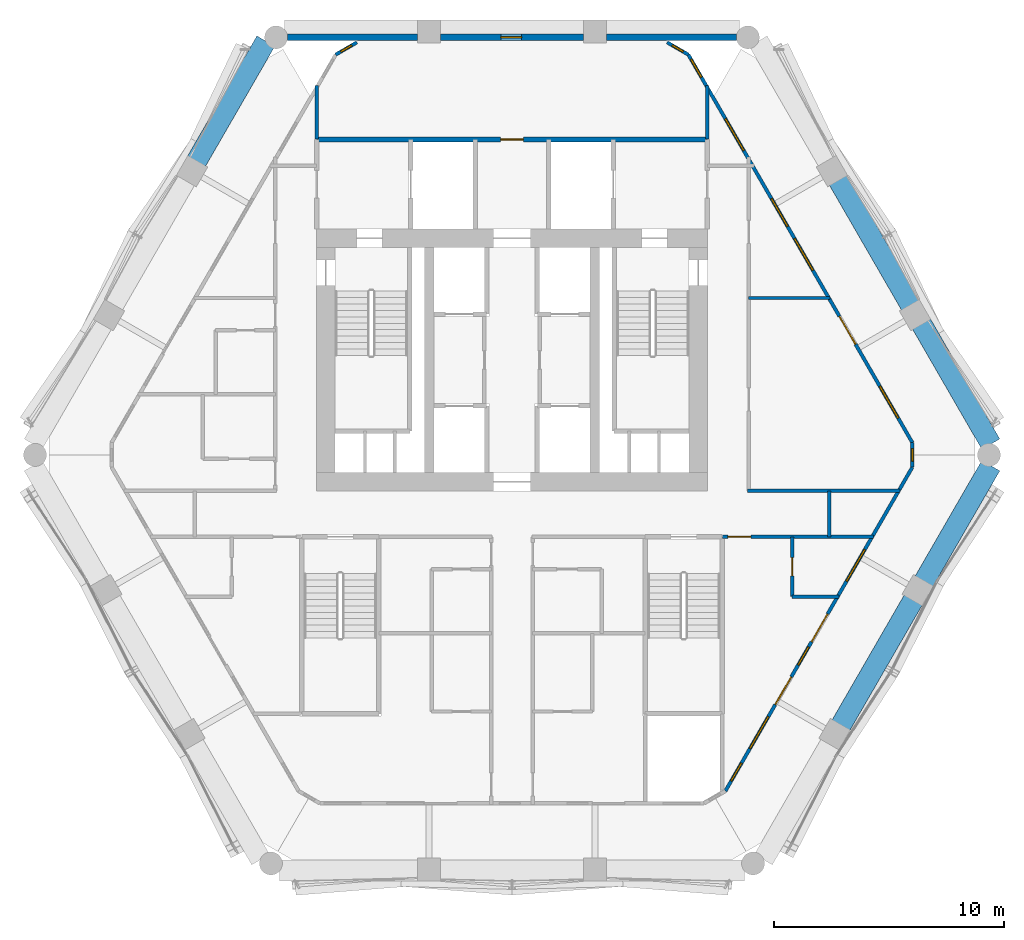
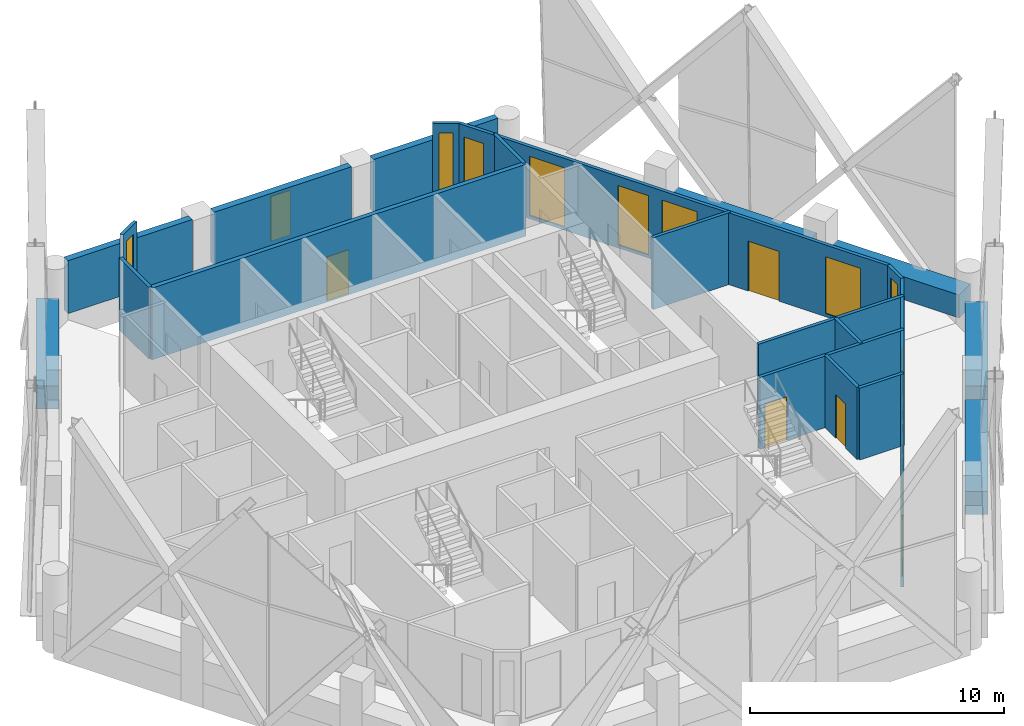
# One storey, part 13 of 19: 22 walls, 13 windows, 6 doors, 19 openings.
"""IFC4 building model written with IfcOpenShell, lengths in metres."""

from ifc_helpers import new_model, si_unit, direction, frame, frame_2d, origin, place, context, subcontext, project, spatial, rectangle, extrude, material, layer, layer_set, type_object, element, fill, save


model = new_model("IFC4")

# Units and contexts
model_context = context("Model", 3, precision=1e-05, world=origin(), true_north=direction((0.0, 1.0)))
body_context = subcontext(model_context, "Body", "Model", "MODEL_VIEW")
ifc_project = project(units=[si_unit("LENGTHUNIT", "METRE"), si_unit("AREAUNIT", "SQUARE_METRE"), si_unit("VOLUMEUNIT", "CUBIC_METRE"), si_unit("PLANEANGLEUNIT", "RADIAN"), si_unit("MASSUNIT", "GRAM", prefix="KILO")], contexts=[model_context])

# Site, building, storey
site_placement = place(None, origin())
site = spatial("IfcSite", under=ifc_project, at=site_placement, CompositionType="ELEMENT")
building_placement = place(site_placement, origin())
building = spatial("IfcBuilding", under=site, at=building_placement, Name="Ostrander Bayou Hotel Tower", CompositionType="ELEMENT")
storey_placement = place(building_placement, frame((0.0, 0.0, 164.5)))
storey = spatial("IfcBuildingStorey", under=building, at=storey_placement, Name="L40", CompositionType="ELEMENT", Elevation=164.5)

# Wall, openings, doors, windows
ifc_material_1 = material(Name="Aluminium framed insulated wall", Category="aluminium")
ifc_layer_1 = layer(ifc_material_1, 0.14990234375)
ifc_layer_set_1 = layer_set([ifc_layer_1], Name="GW1 glass-line wall 150 mm")
wall_type_1 = type_object("IfcWallType", Name="GW1 glass-line wall 150 mm", PredefinedType="SOLIDWALL", material=ifc_layer_set_1)
wall_1_placement = place(storey_placement, frame((9.288818359375, -14.76171875, 0.0), z_axis=(0.0, 0.0, 1.0), x_axis=(0.499985985267, 0.866033495043, 0.0)))
wall_1 = element("IfcWall", 1, at=wall_1_placement, inside=storey, type_object=wall_type_1, Name="GW1 L40 SE 1", PredefinedType="SOLIDWALL", context=body_context, shape_type="SweptSolid", body=[
    extrude(rectangle(XDim=16.279296875, YDim=0.14990234375, at=frame_2d((8.1396484375, 0.0))), origin(), (0.0, 0.0, 1.0), 3.449951171875),
])
opening_1_placement = place(wall_1_placement, frame((2.1396484375, 0.0, 0.14990234375)))
opening_1 = element("IfcOpeningElement", 2, at=opening_1_placement, cuts=wall_1, Name="Opening W3", PredefinedType="OPENING", context=body_context, shape_type="SweptSolid", body=[
    extrude(rectangle(XDim=1.60009765625, YDim=2.85009765625, at=frame_2d((0.800048828125, 1.425048828125))), frame((0.0, 0.074951171875, 0.0), z_axis=(0.0, -1.0, 0.0), x_axis=(1.0, 0.0, 0.0)), (0.0, 0.0, 1.0), 0.14990234375),
])
opening_2_placement = place(wall_1_placement, frame((4.339599609375, 0.0, 0.0)))
opening_2 = element("IfcOpeningElement", 3, at=opening_2_placement, cuts=wall_1, Name="Opening T38-804", PredefinedType="OPENING", context=body_context, shape_type="SweptSolid", body=[
    extrude(rectangle(XDim=1.39990234375, YDim=2.39990234375, at=frame_2d((0.699951171875, 1.199951171875))), frame((0.0, 0.074951171875, 0.0), z_axis=(0.0, -1.0, 0.0), x_axis=(1.0, 0.0, 0.0)), (0.0, 0.0, 1.0), 0.14990234375),
])
opening_3_placement = place(wall_1_placement, frame((6.339599609375, 0.0, 0.14990234375)))
opening_3 = element("IfcOpeningElement", 4, at=opening_3_placement, cuts=wall_1, Name="Opening W17", PredefinedType="OPENING", context=body_context, shape_type="SweptSolid", body=[
    extrude(rectangle(XDim=0.89990234375, YDim=2.85009765625, at=frame_2d((0.449951171875, 1.425048828125))), frame((0.0, 0.074951171875, 0.0), z_axis=(0.0, -1.0, 0.0), x_axis=(1.0, 0.0, 0.0)), (0.0, 0.0, 1.0), 0.14990234375),
])
opening_4_placement = place(wall_1_placement, frame((7.49658203125, 0.0, 0.0)))
opening_4 = element("IfcOpeningElement", 5, at=opening_4_placement, cuts=wall_1, Name="Opening T38-805", PredefinedType="OPENING", context=body_context, shape_type="SweptSolid", body=[
    extrude(rectangle(XDim=1.39990234375, YDim=2.39990234375, at=frame_2d((0.699951171875, 1.199951171875))), frame((0.0, 0.074951171875, 0.0), z_axis=(0.0, -1.0, 0.0), x_axis=(1.0, 0.0, 0.0)), (0.0, 0.0, 1.0), 0.14990234375),
])
opening_5_placement = place(wall_1_placement, frame((10.53955078125, 0.0, 0.14990234375)))
opening_5 = element("IfcOpeningElement", 6, at=opening_5_placement, cuts=wall_1, Name="Opening W3", PredefinedType="OPENING", context=body_context, shape_type="SweptSolid", body=[
    extrude(rectangle(XDim=1.60009765625, YDim=2.85009765625, at=frame_2d((0.800048828125, 1.425048828125))), frame((0.0, 0.074951171875, 0.0), z_axis=(0.0, -1.0, 0.0), x_axis=(1.0, 0.0, 0.0)), (0.0, 0.0, 1.0), 0.14990234375),
])
opening_6_placement = place(wall_1_placement, frame((0.501708984375, 0.0, 0.14990234375)))
opening_6 = element("IfcOpeningElement", 7, at=opening_6_placement, cuts=wall_1, Name="Opening W17", PredefinedType="OPENING", context=body_context, shape_type="SweptSolid", body=[
    extrude(rectangle(XDim=0.89990234375, YDim=2.72998046875, at=frame_2d((0.449951171875, 1.364990234375))), frame((0.0, 0.074951171875, 0.0), z_axis=(0.0, -1.0, 0.0), x_axis=(1.0, 0.0, 0.0)), (0.0, 0.0, 1.0), 0.14990234375),
])
ifc_material_2 = material(Name="Aluminium and clear glass", Category="aluminium")
door_type_1 = type_object("IfcDoorType", Name="SD3 sliding glass door 1400 mm, zone 3", OperationType="SLIDING_TO_LEFT", PredefinedType="DOOR", material=ifc_material_2)
door_1_placement = place(opening_2_placement, origin())
door_1 = element("IfcDoor", 8, at=door_1_placement, inside=storey, type_object=door_type_1, Name="SD3 L40 SE 1", OperationType="SLIDING_TO_LEFT", OverallHeight=2.39990234375, OverallWidth=1.39990234375, PredefinedType="DOOR", context=body_context, shape_type="SweptSolid", body=[
    extrude(rectangle(XDim=1.39990234375, YDim=2.39990234375, at=frame_2d((0.699951171875, 1.199951171875))), frame((0.0, 0.02490234375, 0.0), z_axis=(0.0, -1.0, 0.0), x_axis=(1.0, 0.0, 0.0)), (0.0, 0.0, 1.0), 0.050048828125),
])
fill(opening_2, door_1)
door_2_placement = place(opening_4_placement, origin())
door_2 = element("IfcDoor", 9, at=door_2_placement, inside=storey, type_object=door_type_1, Name="SD3 L40 SE 2", OperationType="SLIDING_TO_RIGHT", OverallHeight=2.39990234375, OverallWidth=1.39990234375, PredefinedType="DOOR", context=body_context, shape_type="SweptSolid", body=[
    extrude(rectangle(XDim=1.39990234375, YDim=2.39990234375, at=frame_2d((0.699951171875, 1.199951171875))), frame((0.0, 0.02490234375, 0.0), z_axis=(0.0, -1.0, 0.0), x_axis=(1.0, 0.0, 0.0)), (0.0, 0.0, 1.0), 0.050048828125),
])
fill(opening_4, door_2)
ifc_material_3 = material(Name="Aluminium and clear glass", Category="aluminium")
window_type_1 = type_object("IfcWindowType", Name="W17 window 900 mm, zone 3", PartitioningType="SINGLE_PANEL", PredefinedType="WINDOW", material=ifc_material_3)
window_1_placement = place(opening_3_placement, origin())
window_1 = element("IfcWindow", 10, at=window_1_placement, inside=storey, type_object=window_type_1, Name="W17 L40 SE 2", OverallHeight=2.85009765625, OverallWidth=0.89990234375, PartitioningType="SINGLE_PANEL", PredefinedType="WINDOW", context=body_context, shape_type="SweptSolid", body=[
    extrude(rectangle(XDim=0.89990234375, YDim=2.85009765625, at=frame_2d((0.449951171875, 1.425048828125))), frame((0.0, 0.030029296875, 0.0), z_axis=(0.0, -1.0, 0.0), x_axis=(1.0, 0.0, 0.0)), (0.0, 0.0, 1.0), 0.06005859375),
])
fill(opening_3, window_1)
window_2_placement = place(opening_6_placement, origin())
window_2 = element("IfcWindow", 11, at=window_2_placement, inside=storey, type_object=window_type_1, Name="W17 L40 SE E11", OverallHeight=2.72998046875, OverallWidth=0.89990234375, PartitioningType="SINGLE_PANEL", PredefinedType="WINDOW", context=body_context, shape_type="SweptSolid", body=[
    extrude(rectangle(XDim=0.89990234375, YDim=2.72998046875, at=frame_2d((0.449951171875, 1.364990234375))), frame((0.0, 0.030029296875, 0.0), z_axis=(0.0, -1.0, 0.0), x_axis=(1.0, 0.0, 0.0)), (0.0, 0.0, 1.0), 0.06005859375),
])
fill(opening_6, window_2)
ifc_material_4 = material(Name="Aluminium and clear glass", Category="aluminium")
window_type_2 = type_object("IfcWindowType", Name="W3 fixed window 1600 mm, zone 3", PartitioningType="SINGLE_PANEL", PredefinedType="WINDOW", material=ifc_material_4)
window_3_placement = place(opening_1_placement, origin())
window_3 = element("IfcWindow", 12, at=window_3_placement, inside=storey, type_object=window_type_2, Name="W3 L40 SE 1", OverallHeight=2.85009765625, OverallWidth=1.60009765625, PartitioningType="SINGLE_PANEL", PredefinedType="WINDOW", context=body_context, shape_type="SweptSolid", body=[
    extrude(rectangle(XDim=1.60009765625, YDim=2.85009765625, at=frame_2d((0.800048828125, 1.425048828125))), frame((0.0, 0.030029296875, 0.0), z_axis=(0.0, -1.0, 0.0), x_axis=(1.0, 0.0, 0.0)), (0.0, 0.0, 1.0), 0.06005859375),
])
fill(opening_1, window_3)
window_4_placement = place(opening_5_placement, origin())
window_4 = element("IfcWindow", 13, at=window_4_placement, inside=storey, type_object=window_type_2, Name="W3 L40 SE 3", OverallHeight=2.85009765625, OverallWidth=1.60009765625, PartitioningType="SINGLE_PANEL", PredefinedType="WINDOW", context=body_context, shape_type="SweptSolid", body=[
    extrude(rectangle(XDim=1.60009765625, YDim=2.85009765625, at=frame_2d((0.800048828125, 1.425048828125))), frame((0.0, 0.030029296875, 0.0), z_axis=(0.0, -1.0, 0.0), x_axis=(1.0, 0.0, 0.0)), (0.0, 0.0, 1.0), 0.06005859375),
])
fill(opening_5, window_4)

# Wall, openings, door, windows
wall_2_placement = place(storey_placement, frame((17.42822265625, 0.401611328125, 0.0), z_axis=(0.0, 0.0, 1.0), x_axis=(-0.500000203029, 0.866025286565, 0.0)))
wall_2 = element("IfcWall", 14, at=wall_2_placement, inside=storey, type_object=wall_type_1, Name="GW1 L40 NE 1", PredefinedType="SOLIDWALL", context=body_context, shape_type="SweptSolid", body=[
    extrude(rectangle(XDim=19.50390625, YDim=0.14990234375, at=frame_2d((9.751953125, 0.0))), origin(), (0.0, 0.0, 1.0), 3.449951171875),
])
opening_7_placement = place(wall_2_placement, frame((4.94677734375, 0.0, 0.0)))
opening_7 = element("IfcOpeningElement", 15, at=opening_7_placement, cuts=wall_2, Name="Opening T38-806", PredefinedType="OPENING", context=body_context, shape_type="SweptSolid", body=[
    extrude(rectangle(XDim=1.39990234375, YDim=2.39990234375, at=frame_2d((0.699951171875, 1.199951171875))), frame((0.0, 0.074951171875, 0.0), z_axis=(0.0, -1.0, 0.0), x_axis=(1.0, 0.0, 0.0)), (0.0, 0.0, 1.0), 0.14990234375),
])
opening_8_placement = place(wall_2_placement, frame((8.666259765625, 0.0, 0.14990234375)))
opening_8 = element("IfcOpeningElement", 16, at=opening_8_placement, cuts=wall_2, Name="Opening W3", PredefinedType="OPENING", context=body_context, shape_type="SweptSolid", body=[
    extrude(rectangle(XDim=1.60009765625, YDim=2.85009765625, at=frame_2d((0.800048828125, 1.425048828125))), frame((0.0, 0.074951171875, 0.0), z_axis=(0.0, -1.0, 0.0), x_axis=(1.0, 0.0, 0.0)), (0.0, 0.0, 1.0), 0.14990234375),
])
opening_9_placement = place(wall_2_placement, frame((10.8662109375, 0.0, 0.14990234375)))
opening_9 = element("IfcOpeningElement", 17, at=opening_9_placement, cuts=wall_2, Name="Opening W13", PredefinedType="OPENING", context=body_context, shape_type="SweptSolid", body=[
    extrude(rectangle(XDim=1.39990234375, YDim=2.85009765625, at=frame_2d((0.699951171875, 1.425048828125))), frame((0.0, 0.074951171875, 0.0), z_axis=(0.0, -1.0, 0.0), x_axis=(1.0, 0.0, 0.0)), (0.0, 0.0, 1.0), 0.14990234375),
])
opening_10_placement = place(wall_2_placement, frame((14.684326171875, 0.0, 0.14990234375)))
opening_10 = element("IfcOpeningElement", 18, at=opening_10_placement, cuts=wall_2, Name="Opening W3", PredefinedType="OPENING", context=body_context, shape_type="SweptSolid", body=[
    extrude(rectangle(XDim=1.60009765625, YDim=2.85009765625, at=frame_2d((0.800048828125, 1.425048828125))), frame((0.0, 0.074951171875, 0.0), z_axis=(0.0, -1.0, 0.0), x_axis=(1.0, 0.0, 0.0)), (0.0, 0.0, 1.0), 0.14990234375),
])
opening_11_placement = place(wall_2_placement, frame((1.233154296875, 0.0, 0.14990234375)))
opening_11 = element("IfcOpeningElement", 19, at=opening_11_placement, cuts=wall_2, Name="Opening W3", PredefinedType="OPENING", context=body_context, shape_type="SweptSolid", body=[
    extrude(rectangle(XDim=1.60009765625, YDim=2.72998046875, at=frame_2d((0.800048828125, 1.364990234375))), frame((0.0, 0.074951171875, 0.0), z_axis=(0.0, -1.0, 0.0), x_axis=(1.0, 0.0, 0.0)), (0.0, 0.0, 1.0), 0.14990234375),
])
opening_12_placement = place(wall_2_placement, frame((18.369384765625, 0.0, 0.14990234375)))
opening_12 = element("IfcOpeningElement", 20, at=opening_12_placement, cuts=wall_2, Name="Opening W17", PredefinedType="OPENING", context=body_context, shape_type="SweptSolid", body=[
    extrude(rectangle(XDim=0.89990234375, YDim=2.72998046875, at=frame_2d((0.449951171875, 1.364990234375))), frame((0.0, 0.074951171875, 0.0), z_axis=(0.0, -1.0, 0.0), x_axis=(1.0, 0.0, 0.0)), (0.0, 0.0, 1.0), 0.14990234375),
])
door_3_placement = place(opening_7_placement, origin())
door_3 = element("IfcDoor", 21, at=door_3_placement, inside=storey, type_object=door_type_1, Name="SD3 L40 NE 2", OperationType="SLIDING_TO_RIGHT", OverallHeight=2.39990234375, OverallWidth=1.39990234375, PredefinedType="DOOR", context=body_context, shape_type="SweptSolid", body=[
    extrude(rectangle(XDim=1.39990234375, YDim=2.39990234375, at=frame_2d((0.699951171875, 1.199951171875))), frame((0.0, 0.02490234375, 0.0), z_axis=(0.0, -1.0, 0.0), x_axis=(1.0, 0.0, 0.0)), (0.0, 0.0, 1.0), 0.050048828125),
])
fill(opening_7, door_3)
ifc_material_5 = material(Name="Aluminium and clear glass", Category="aluminium")
window_type_3 = type_object("IfcWindowType", Name="W13 fixed window 1400 mm, bath bay, zone 3", PartitioningType="SINGLE_PANEL", PredefinedType="WINDOW", material=ifc_material_5)
window_5_placement = place(opening_9_placement, origin())
window_5 = element("IfcWindow", 22, at=window_5_placement, inside=storey, type_object=window_type_3, Name="W13 L40 NE 3", OverallHeight=2.85009765625, OverallWidth=1.39990234375, PartitioningType="SINGLE_PANEL", PredefinedType="WINDOW", context=body_context, shape_type="SweptSolid", body=[
    extrude(rectangle(XDim=1.39990234375, YDim=2.85009765625, at=frame_2d((0.699951171875, 1.425048828125))), frame((0.0, 0.030029296875, 0.0), z_axis=(0.0, -1.0, 0.0), x_axis=(1.0, 0.0, 0.0)), (0.0, 0.0, 1.0), 0.06005859375),
])
fill(opening_9, window_5)
window_6_placement = place(opening_12_placement, origin())
window_6 = element("IfcWindow", 23, at=window_6_placement, inside=storey, type_object=window_type_1, Name="W17 L40 NE E22", OverallHeight=2.72998046875, OverallWidth=0.89990234375, PartitioningType="SINGLE_PANEL", PredefinedType="WINDOW", context=body_context, shape_type="SweptSolid", body=[
    extrude(rectangle(XDim=0.89990234375, YDim=2.72998046875, at=frame_2d((0.449951171875, 1.364990234375))), frame((0.0, 0.030029296875, 0.0), z_axis=(0.0, -1.0, 0.0), x_axis=(1.0, 0.0, 0.0)), (0.0, 0.0, 1.0), 0.06005859375),
])
fill(opening_12, window_6)
window_7_placement = place(opening_8_placement, origin())
window_7 = element("IfcWindow", 24, at=window_7_placement, inside=storey, type_object=window_type_2, Name="W3 L40 NE 3", OverallHeight=2.85009765625, OverallWidth=1.60009765625, PartitioningType="SINGLE_PANEL", PredefinedType="WINDOW", context=body_context, shape_type="SweptSolid", body=[
    extrude(rectangle(XDim=1.60009765625, YDim=2.85009765625, at=frame_2d((0.800048828125, 1.425048828125))), frame((0.0, 0.030029296875, 0.0), z_axis=(0.0, -1.0, 0.0), x_axis=(1.0, 0.0, 0.0)), (0.0, 0.0, 1.0), 0.06005859375),
])
fill(opening_8, window_7)
window_8_placement = place(opening_10_placement, origin())
window_8 = element("IfcWindow", 25, at=window_8_placement, inside=storey, type_object=window_type_2, Name="W3 L40 NE 4", OverallHeight=2.85009765625, OverallWidth=1.60009765625, PartitioningType="SINGLE_PANEL", PredefinedType="WINDOW", context=body_context, shape_type="SweptSolid", body=[
    extrude(rectangle(XDim=1.60009765625, YDim=2.85009765625, at=frame_2d((0.800048828125, 1.425048828125))), frame((0.0, 0.030029296875, 0.0), z_axis=(0.0, -1.0, 0.0), x_axis=(1.0, 0.0, 0.0)), (0.0, 0.0, 1.0), 0.06005859375),
])
fill(opening_10, window_8)
window_9_placement = place(opening_11_placement, origin())
window_9 = element("IfcWindow", 26, at=window_9_placement, inside=storey, type_object=window_type_2, Name="W3 L40 NE E11", OverallHeight=2.72998046875, OverallWidth=1.60009765625, PartitioningType="SINGLE_PANEL", PredefinedType="WINDOW", context=body_context, shape_type="SweptSolid", body=[
    extrude(rectangle(XDim=1.60009765625, YDim=2.72998046875, at=frame_2d((0.800048828125, 1.364990234375))), frame((0.0, 0.030029296875, 0.0), z_axis=(0.0, -1.0, 0.0), x_axis=(1.0, 0.0, 0.0)), (0.0, 0.0, 1.0), 0.06005859375),
])
fill(opening_11, window_9)

# Wall, opening, window
wall_3_placement = place(storey_placement, frame((-6.75390625, 17.824951171875, 0.0), z_axis=(0.0, 0.0, 1.0), x_axis=(-0.866048165231, -0.499960573946, 0.0)))
wall_3 = element("IfcWall", 27, at=wall_3_placement, inside=storey, type_object=wall_type_1, Name="GW1 L40 corner 1", PredefinedType="SOLIDWALL", context=body_context, shape_type="SweptSolid", body=[
    extrude(rectangle(XDim=1.06494140625, YDim=0.14990234375, at=frame_2d((0.532470703125, 0.0))), origin(), (0.0, 0.0, 1.0), 3.449951171875),
])
opening_13_placement = place(wall_3_placement, frame((0.257568359375, 0.0, 0.14990234375)))
opening_13 = element("IfcOpeningElement", 28, at=opening_13_placement, cuts=wall_3, Name="Opening W19", PredefinedType="OPENING", context=body_context, shape_type="SweptSolid", body=[
    extrude(rectangle(XDim=0.550048828125, YDim=2.85009765625, at=frame_2d((0.27490234375, 1.425048828125))), frame((0.0, 0.074951171875, 0.0), z_axis=(0.0, -1.0, 0.0), x_axis=(1.0, 0.0, 0.0)), (0.0, 0.0, 1.0), 0.14990234375),
])
ifc_material_6 = material(Name="Aluminium and clear glass", Category="aluminium")
window_type_4 = type_object("IfcWindowType", Name="W19 corner window 550 mm", PartitioningType="SINGLE_PANEL", PredefinedType="WINDOW", material=ifc_material_6)
window_10_placement = place(opening_13_placement, origin())
window_10 = element("IfcWindow", 29, at=window_10_placement, inside=storey, type_object=window_type_4, Name="W19 L40 corner 1", OverallHeight=2.85009765625, OverallWidth=0.550048828125, PartitioningType="SINGLE_PANEL", PredefinedType="WINDOW", context=body_context, shape_type="SweptSolid", body=[
    extrude(rectangle(XDim=0.550048828125, YDim=2.85009765625, at=frame_2d((0.27490234375, 1.425048828125))), frame((0.0, 0.030029296875, 0.0), z_axis=(0.0, -1.0, 0.0), x_axis=(1.0, 0.0, 0.0)), (0.0, 0.0, 1.0), 0.06005859375),
])
fill(opening_13, window_10)

wall_4_placement = place(storey_placement, frame((17.42822265625, -0.663330078125, 0.0), z_axis=(0.0, 0.0, 1.0), x_axis=(0.0, 1.0, 0.0)))
wall_4 = element("IfcWall", 30, at=wall_4_placement, inside=storey, type_object=wall_type_1, Name="GW1 L40 corner 5", PredefinedType="SOLIDWALL", context=body_context, shape_type="SweptSolid", body=[
    extrude(rectangle(XDim=1.06494140625, YDim=0.14990234375, at=frame_2d((0.532470703125, 0.0))), origin(), (0.0, 0.0, 1.0), 3.449951171875),
])
opening_14_placement = place(wall_4_placement, frame((0.257568359375, 0.0, 0.14990234375)))
opening_14 = element("IfcOpeningElement", 31, at=opening_14_placement, cuts=wall_4, Name="Opening W19", PredefinedType="OPENING", context=body_context, shape_type="SweptSolid", body=[
    extrude(rectangle(XDim=0.550048828125, YDim=2.85009765625, at=frame_2d((0.27490234375, 1.425048828125))), frame((0.0, 0.074951171875, 0.0), z_axis=(0.0, -1.0, 0.0), x_axis=(1.0, 0.0, 0.0)), (0.0, 0.0, 1.0), 0.14990234375),
])
window_11_placement = place(opening_14_placement, origin())
window_11 = element("IfcWindow", 32, at=window_11_placement, inside=storey, type_object=window_type_4, Name="W19 L40 corner 5", OverallHeight=2.85009765625, OverallWidth=0.550048828125, PartitioningType="SINGLE_PANEL", PredefinedType="WINDOW", context=body_context, shape_type="SweptSolid", body=[
    extrude(rectangle(XDim=0.550048828125, YDim=2.85009765625, at=frame_2d((0.27490234375, 1.425048828125))), frame((0.0, 0.030029296875, 0.0), z_axis=(0.0, -1.0, 0.0), x_axis=(1.0, 0.0, 0.0)), (0.0, 0.0, 1.0), 0.06005859375),
])
fill(opening_14, window_11)

wall_5_placement = place(storey_placement, frame((7.67626953125, 17.29248046875, 0.0), z_axis=(0.0, 0.0, 1.0), x_axis=(-0.866048165231, 0.499960573946, 0.0)))
wall_5 = element("IfcWall", 33, at=wall_5_placement, inside=storey, type_object=wall_type_1, Name="GW1 L40 corner 6", PredefinedType="SOLIDWALL", context=body_context, shape_type="SweptSolid", body=[
    extrude(rectangle(XDim=1.06494140625, YDim=0.14990234375, at=frame_2d((0.532470703125, 0.0))), origin(), (0.0, 0.0, 1.0), 3.449951171875),
])
opening_15_placement = place(wall_5_placement, frame((0.257568359375, 0.0, 0.14990234375)))
opening_15 = element("IfcOpeningElement", 34, at=opening_15_placement, cuts=wall_5, Name="Opening W19", PredefinedType="OPENING", context=body_context, shape_type="SweptSolid", body=[
    extrude(rectangle(XDim=0.550048828125, YDim=2.85009765625, at=frame_2d((0.27490234375, 1.425048828125))), frame((0.0, 0.074951171875, 0.0), z_axis=(0.0, -1.0, 0.0), x_axis=(1.0, 0.0, 0.0)), (0.0, 0.0, 1.0), 0.14990234375),
])
window_12_placement = place(opening_15_placement, origin())
window_12 = element("IfcWindow", 35, at=window_12_placement, inside=storey, type_object=window_type_4, Name="W19 L40 corner 6", OverallHeight=2.85009765625, OverallWidth=0.550048828125, PartitioningType="SINGLE_PANEL", PredefinedType="WINDOW", context=body_context, shape_type="SweptSolid", body=[
    extrude(rectangle(XDim=0.550048828125, YDim=2.85009765625, at=frame_2d((0.27490234375, 1.425048828125))), frame((0.0, 0.030029296875, 0.0), z_axis=(0.0, -1.0, 0.0), x_axis=(1.0, 0.0, 0.0)), (0.0, 0.0, 1.0), 0.06005859375),
])
fill(opening_15, window_12)

# Wall
ifc_material_7 = material(Name="Reconstituted stone on masonry backing", Category="masonry")
ifc_layer_2 = layer(ifc_material_7, 0.300048828125)
ifc_layer_set_2 = layer_set([ifc_layer_2], Name="NW1 north stone wall 300 mm")
wall_type_2 = type_object("IfcWallType", Name="NW1 north stone wall 300 mm", PredefinedType="SOLIDWALL", material=ifc_layer_set_2)
wall_6_placement = place(storey_placement, frame((9.767822265625, 18.050048828125, 0.0), z_axis=(0.0, 0.0, 1.0), x_axis=(-1.0, 0.0, 0.0)))
element("IfcWall", 36, at=wall_6_placement, inside=storey, type_object=wall_type_2, Name="NW1 L40 N-1", PredefinedType="SOLIDWALL", context=body_context, shape_type="SweptSolid", body=[
    extrude(rectangle(XDim=5.649658203125, YDim=0.300048828125, at=frame_2d((2.82470703125, 0.0))), origin(), (0.0, 0.0, 1.0), 2.550048828125),
])

# Wall, opening, window
wall_7_placement = place(storey_placement, frame((3.1181640625, 18.050048828125, 0.0), z_axis=(0.0, 0.0, 1.0), x_axis=(-1.0, 0.0, 0.0)))
wall_7 = element("IfcWall", 37, at=wall_7_placement, inside=storey, type_object=wall_type_2, Name="NW1 L40 N-2", PredefinedType="SOLIDWALL", context=body_context, shape_type="SweptSolid", body=[
    extrude(rectangle(XDim=6.236328125, YDim=0.300048828125, at=frame_2d((3.1181640625, 0.0))), origin(), (0.0, 0.0, 1.0), 2.550048828125),
])
opening_16_placement = place(wall_7_placement, frame((2.699951171875, 0.0, 0.14990234375)))
opening_16 = element("IfcOpeningElement", 38, at=opening_16_placement, cuts=wall_7, Name="Opening W17", PredefinedType="OPENING", context=body_context, shape_type="SweptSolid", body=[
    extrude(rectangle(XDim=0.89990234375, YDim=2.14990234375, at=frame_2d((0.449951171875, 1.074951171875))), frame((0.0, 0.14990234375, 0.0), z_axis=(0.0, -1.0, 0.0), x_axis=(1.0, 0.0, 0.0)), (0.0, 0.0, 1.0), 0.300048828125),
])
window_13_placement = place(opening_16_placement, origin())
window_13 = element("IfcWindow", 39, at=window_13_placement, inside=storey, type_object=window_type_1, Name="W17 L40 north N-2", OverallHeight=2.14990234375, OverallWidth=0.89990234375, PartitioningType="SINGLE_PANEL", PredefinedType="WINDOW", context=body_context, shape_type="SweptSolid", body=[
    extrude(rectangle(XDim=0.89990234375, YDim=2.14990234375, at=frame_2d((0.449951171875, 1.074951171875))), frame((0.0, 0.030029296875, 0.0), z_axis=(0.0, -1.0, 0.0), x_axis=(1.0, 0.0, 0.0)), (0.0, 0.0, 1.0), 0.06005859375),
])
fill(opening_16, window_13)

# Walls
wall_8_placement = place(storey_placement, frame((-4.1181640625, 18.050048828125, 0.0), z_axis=(0.0, 0.0, 1.0), x_axis=(-1.0, 0.0, 0.0)))
element("IfcWall", 40, at=wall_8_placement, inside=storey, type_object=wall_type_2, Name="NW1 L40 N-3", PredefinedType="SOLIDWALL", context=body_context, shape_type="SweptSolid", body=[
    extrude(rectangle(XDim=5.649658203125, YDim=0.300048828125, at=frame_2d((2.82470703125, 0.0))), origin(), (0.0, 0.0, 1.0), 2.550048828125),
])
ifc_material_8 = material(Name="Concrete f'c 40 MPa", Category="concrete")
ifc_layer_3 = layer(ifc_material_8, 0.89990234375)
ifc_layer_set_3 = layer_set([ifc_layer_3], Name="PA1 stone-faced parapet 900 mm")
wall_type_3 = type_object("IfcWallType", Name="PA1 stone-faced parapet 900 mm", PredefinedType="PARAPET", material=ifc_layer_set_3)
wall_9_placement = place(storey_placement, frame((-10.71435546875, 17.88037109375, 0.0), z_axis=(0.0, 0.0, 1.0), x_axis=(-0.499995386674, -0.866028067273, 0.0)))
element("IfcWall", 41, at=wall_9_placement, inside=storey, type_object=wall_type_3, Name="PA1 L40 NW-1", PredefinedType="PARAPET", context=body_context, shape_type="SweptSolid", body=[
    extrude(rectangle(XDim=6.03955078125, YDim=0.89990234375, at=frame_2d((3.019775390625, 0.0))), origin(), (0.0, 0.0, 1.0), 1.10009765625),
])
wall_10_placement = place(storey_placement, frame((20.842041015625, 0.3388671875, 0.0), z_axis=(0.0, 0.0, 1.0), x_axis=(-0.500012890865, 0.866017961112, 0.0)))
element("IfcWall", 42, at=wall_10_placement, inside=storey, type_object=wall_type_3, Name="PA1 L40 NE-1", PredefinedType="PARAPET", context=body_context, shape_type="SweptSolid", body=[
    extrude(rectangle(XDim=6.039306640625, YDim=0.89990234375, at=frame_2d((3.01953125, 0.0))), origin(), (0.0, 0.0, 1.0), 1.10009765625),
])
wall_11_placement = place(storey_placement, frame((17.352294921875, 6.38330078125, 0.0), z_axis=(0.0, 0.0, 1.0), x_axis=(-0.500030142214, 0.86600800047, 0.0)))
element("IfcWall", 43, at=wall_11_placement, inside=storey, type_object=wall_type_3, Name="PA1 L40 NE-2", PredefinedType="PARAPET", context=body_context, shape_type="SweptSolid", body=[
    extrude(rectangle(XDim=6.2958984375, YDim=0.89990234375, at=frame_2d((3.14794921875, 0.0))), origin(), (0.0, 0.0, 1.0), 1.10009765625),
])
ifc_material_9 = material(Name="Limestone masonry", Category="masonry")
ifc_layer_4 = layer(ifc_material_9, 0.89990234375)
ifc_layer_set_4 = layer_set([ifc_layer_4], Name="PA2 limestone parapet 900 mm")
wall_type_4 = type_object("IfcWallType", Name="PA2 limestone parapet 900 mm", PredefinedType="PARAPET", material=ifc_layer_set_4)
wall_12_placement = place(storey_placement, frame((14.3173828125, -11.9013671875, 0.0), z_axis=(0.0, 0.0, 1.0), x_axis=(0.500013351051, 0.866017695414, 0.0)))
element("IfcWall", 44, at=wall_12_placement, inside=storey, type_object=wall_type_4, Name="PA2 L40 SE-2", PredefinedType="PARAPET", context=body_context, shape_type="SweptSolid", body=[
    extrude(rectangle(XDim=6.296142578125, YDim=0.89990234375, at=frame_2d((3.14794921875, 0.0))), origin(), (0.0, 0.0, 1.0), 1.10009765625),
])
wall_13_placement = place(storey_placement, frame((17.935546875, -5.634521484375, 0.0), z_axis=(0.0, 0.0, 1.0), x_axis=(0.500019366424, 0.866014222285, 0.0)))
element("IfcWall", 45, at=wall_13_placement, inside=storey, type_object=wall_type_4, Name="PA2 L40 SE-3", PredefinedType="PARAPET", context=body_context, shape_type="SweptSolid", body=[
    extrude(rectangle(XDim=5.812744140625, YDim=0.89990234375, at=frame_2d((2.90625, 0.0))), origin(), (0.0, 0.0, 1.0), 1.10009765625),
])

# Wall, opening, door
ifc_material_10 = material(Name="Masonry block", Category="masonry")
ifc_layer_5 = layer(ifc_material_10, 0.199951171875)
ifc_layer_set_5 = layer_set([ifc_layer_5], Name="PT5 stair enclosure wall 200 mm masonry, 2 hour")
wall_type_5 = type_object("IfcWallType", Name="PT5 stair enclosure wall 200 mm masonry, 2 hour", PredefinedType="PARTITIONING", material=ifc_layer_set_5)
wall_14_placement = place(storey_placement, frame((-8.5, 13.60009765625, 0.0), z_axis=(0.0, 0.0, 1.0), x_axis=(1.0, 0.0, 0.0)))
wall_14 = element("IfcWall", 46, at=wall_14_placement, inside=storey, type_object=wall_type_5, Name="cs:L40:027", PredefinedType="PARTITIONING", context=body_context, shape_type="SweptSolid", body=[
    extrude(rectangle(XDim=17.0, YDim=0.199951171875, at=frame_2d((8.5, 0.0))), origin(), (0.0, 0.0, 1.0), 3.449951171875),
])
opening_17_placement = place(wall_14_placement, frame((8.0, 0.0, 0.0)))
opening_17 = element("IfcOpeningElement", 47, at=opening_17_placement, cuts=wall_14, Name="Opening T38-017", PredefinedType="OPENING", context=body_context, shape_type="SweptSolid", body=[
    extrude(rectangle(XDim=1.0, YDim=2.10009765625, at=frame_2d((0.5, 1.050048828125))), frame((0.0, 0.10009765625, 0.0), z_axis=(0.0, -1.0, 0.0), x_axis=(1.0, 0.0, 0.0)), (0.0, 0.0, 1.0), 0.199951171875),
])
ifc_material_11 = material(Name="Timber door leaf", Category="wood")
door_type_2 = type_object("IfcDoorType", Name="D9 service door 1000 x 2100 mm, 30 minute", OperationType="SINGLE_SWING_LEFT", PredefinedType="DOOR", material=ifc_material_11)
door_4_placement = place(opening_17_placement, origin())
door_4 = element("IfcDoor", 48, at=door_4_placement, inside=storey, type_object=door_type_2, Name="dr:L40:017", OperationType="SINGLE_SWING_LEFT", OverallHeight=2.10009765625, OverallWidth=1.0, PredefinedType="DOOR", context=body_context, shape_type="SweptSolid", body=[
    extrude(rectangle(XDim=1.0, YDim=2.10009765625, at=frame_2d((0.5, 1.050048828125))), frame((0.0, 0.02490234375, 0.0), z_axis=(0.0, -1.0, 0.0), x_axis=(1.0, 0.0, 0.0)), (0.0, 0.0, 1.0), 0.050048828125),
])
fill(opening_17, door_4)

# Wall
ifc_material_12 = material(Name="Gypsum board partition", Category="finish")
ifc_layer_6 = layer(ifc_material_12, 0.14990234375)
ifc_layer_set_6 = layer_set([ifc_layer_6], Name="PT8 service band wall 150 mm, 1 hour")
wall_type_6 = type_object("IfcWallType", Name="PT8 service band wall 150 mm, 1 hour", PredefinedType="PARTITIONING", material=ifc_layer_set_6)
wall_15_placement = place(storey_placement, frame((12.195068359375, -6.300048828125, 0.0), z_axis=(0.0, 0.0, 1.0), x_axis=(1.0, 0.0, 0.0)))
element("IfcWall", 49, at=wall_15_placement, inside=storey, type_object=wall_type_6, Name="gw:L40:007", PredefinedType="PARTITIONING", context=body_context, shape_type="SweptSolid", body=[
    extrude(rectangle(XDim=2.031005859375, YDim=0.14990234375, at=frame_2d((1.015625, 0.0))), origin(), (0.0, 0.0, 1.0), 3.449951171875),
])

# Wall, opening, door
wall_16_placement = place(storey_placement, frame((9.159912109375, -3.699951171875, 0.0), z_axis=(0.0, 0.0, 1.0), x_axis=(1.0, 0.0, 0.0)))
wall_16 = element("IfcWall", 50, at=wall_16_placement, inside=storey, type_object=wall_type_6, Name="gw:L40:013", PredefinedType="PARTITIONING", context=body_context, shape_type="SweptSolid", body=[
    extrude(rectangle(XDim=6.567138671875, YDim=0.14990234375, at=frame_2d((3.28369140625, 0.0))), origin(), (0.0, 0.0, 1.0), 3.449951171875),
])
opening_18_placement = place(wall_16_placement, frame((0.239990234375, 0.0, 0.0)))
opening_18 = element("IfcOpeningElement", 51, at=opening_18_placement, cuts=wall_16, Name="Opening T38-410", PredefinedType="OPENING", context=body_context, shape_type="SweptSolid", body=[
    extrude(rectangle(XDim=1.0, YDim=2.10009765625, at=frame_2d((0.5, 1.050048828125))), frame((0.0, 0.074951171875, 0.0), z_axis=(0.0, -1.0, 0.0), x_axis=(1.0, 0.0, 0.0)), (0.0, 0.0, 1.0), 0.14990234375),
])
ifc_material_13 = material(Name="Timber door leaf", Category="wood")
door_type_3 = type_object("IfcDoorType", Name="D1 guest room door 1000 x 2100 mm, 30 minute", OperationType="SINGLE_SWING_LEFT", PredefinedType="DOOR", material=ifc_material_13)
door_5_placement = place(opening_18_placement, origin())
door_5 = element("IfcDoor", 52, at=door_5_placement, inside=storey, type_object=door_type_3, Name="dr:L40:410", OperationType="SINGLE_SWING_LEFT", OverallHeight=2.10009765625, OverallWidth=1.0, PredefinedType="DOOR", context=body_context, shape_type="SweptSolid", body=[
    extrude(rectangle(XDim=1.0, YDim=2.10009765625, at=frame_2d((0.5, 1.050048828125))), frame((0.0, 0.02490234375, 0.0), z_axis=(0.0, -1.0, 0.0), x_axis=(1.0, 0.0, 0.0)), (0.0, 0.0, 1.0), 0.050048828125),
])
fill(opening_18, door_5)

# Walls
wall_17_placement = place(storey_placement, frame((10.260009765625, -1.699951171875, 0.0), z_axis=(0.0, 0.0, 1.0), x_axis=(1.0, 0.0, 0.0)))
element("IfcWall", 53, at=wall_17_placement, inside=storey, type_object=wall_type_6, Name="gw:L40:015", PredefinedType="PARTITIONING", context=body_context, shape_type="SweptSolid", body=[
    extrude(rectangle(XDim=6.6220703125, YDim=0.14990234375, at=frame_2d((3.31103515625, 0.0))), origin(), (0.0, 0.0, 1.0), 3.449951171875),
])
wall_18_placement = place(storey_placement, frame((10.300048828125, 6.699951171875, 0.0), z_axis=(0.0, 0.0, 1.0), x_axis=(1.0, 0.0, 0.0)))
element("IfcWall", 54, at=wall_18_placement, inside=storey, type_object=wall_type_6, Name="gw:L40:020", PredefinedType="PARTITIONING", context=body_context, shape_type="SweptSolid", body=[
    extrude(rectangle(XDim=3.5439453125, YDim=0.14990234375, at=frame_2d((1.77197265625, 0.0))), origin(), (0.0, 0.0, 1.0), 3.449951171875),
])
wall_19_placement = place(storey_placement, frame((13.800048828125, -3.699951171875, 0.0), z_axis=(0.0, 0.0, 1.0), x_axis=(0.0, 1.0, 0.0)))
element("IfcWall", 55, at=wall_19_placement, inside=storey, type_object=wall_type_6, Name="gw:L40:023", PredefinedType="PARTITIONING", context=body_context, shape_type="SweptSolid", body=[
    extrude(rectangle(XDim=2.0, YDim=0.14990234375, at=frame_2d((1.0, 0.0))), origin(), (0.0, 0.0, 1.0), 3.449951171875),
])

# Wall, opening, door
wall_20_placement = place(storey_placement, frame((12.195068359375, -6.300048828125, 0.0), z_axis=(0.0, 0.0, 1.0), x_axis=(0.0, 1.0, 0.0)))
wall_20 = element("IfcWall", 56, at=wall_20_placement, inside=storey, type_object=wall_type_6, Name="gw:L40:024", PredefinedType="PARTITIONING", context=body_context, shape_type="SweptSolid", body=[
    extrude(rectangle(XDim=2.60009765625, YDim=0.14990234375, at=frame_2d((1.300048828125, 0.0))), origin(), (0.0, 0.0, 1.0), 3.449951171875),
])
opening_19_placement = place(wall_20_placement, frame((0.89990234375, 0.0, 0.0)))
opening_19 = element("IfcOpeningElement", 57, at=opening_19_placement, cuts=wall_20, Name="Opening T38-411", PredefinedType="OPENING", context=body_context, shape_type="SweptSolid", body=[
    extrude(rectangle(XDim=0.800048828125, YDim=2.10009765625, at=frame_2d((0.39990234375, 1.050048828125))), frame((0.0, 0.074951171875, 0.0), z_axis=(0.0, -1.0, 0.0), x_axis=(1.0, 0.0, 0.0)), (0.0, 0.0, 1.0), 0.14990234375),
])
ifc_material_14 = material(Name="Timber door leaf", Category="wood")
door_type_4 = type_object("IfcDoorType", Name="D2 bathroom door 800 x 2100 mm", OperationType="SINGLE_SWING_LEFT", PredefinedType="DOOR", material=ifc_material_14)
door_6_placement = place(opening_19_placement, origin())
door_6 = element("IfcDoor", 58, at=door_6_placement, inside=storey, type_object=door_type_4, Name="dr:L40:411", OperationType="SINGLE_SWING_RIGHT", OverallHeight=2.10009765625, OverallWidth=0.800048828125, PredefinedType="DOOR", context=body_context, shape_type="SweptSolid", body=[
    extrude(rectangle(XDim=0.800048828125, YDim=2.10009765625, at=frame_2d((0.39990234375, 1.050048828125))), frame((0.0, 0.02490234375, 0.0), z_axis=(0.0, -1.0, 0.0), x_axis=(1.0, 0.0, 0.0)), (0.0, 0.0, 1.0), 0.050048828125),
])
fill(opening_19, door_6)

# Walls
for number, where, z_axis, x_axis, name in (
    (59, (8.5, 13.610107421875, 0.0), (0.0, 0.0, 1.0), (0.0, 1.0, 0.0), "gw:L40:027"),
    (60, (-8.5, 13.610107421875, 0.0), (0.0, 0.0, 1.0), (0.0, 1.0, 0.0), "gw:L40:034"),
):
    element("IfcWall", number, at=place(storey_placement, frame(where, z_axis=z_axis, x_axis=x_axis)), inside=storey, type_object=wall_type_6, Name=name, PredefinedType="PARTITIONING", context=body_context, shape_type="SweptSolid", body=[
        extrude(rectangle(XDim=2.345947265625, YDim=0.14990234375, at=frame_2d((1.1728515625, 0.0))), origin(), (0.0, 0.0, 1.0), 3.449951171875),
    ])

save(model, "model.ifc")
